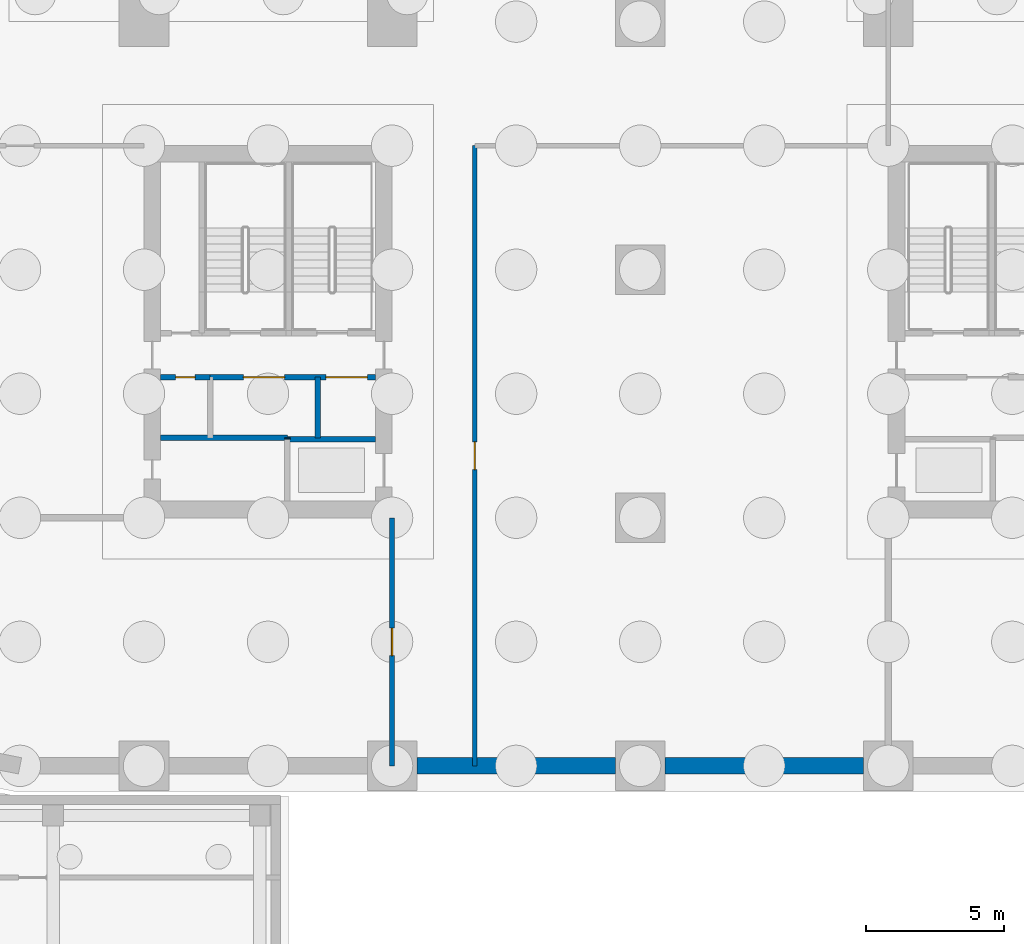
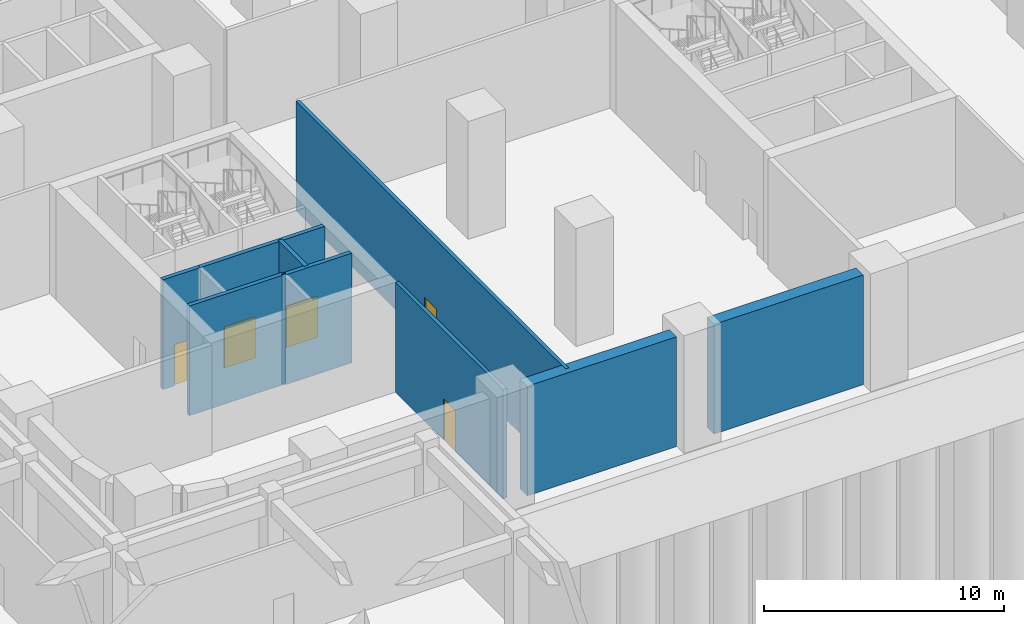
# One storey, part 7 of 26: 10 walls, 5 doors, 5 openings.
"""IFC4 building model written with IfcOpenShell, lengths in metres."""

from ifc_helpers import new_model, si_unit, direction, frame, frame_2d, origin, place, context, subcontext, project, spatial, rectangle, extrude, material, layer, layer_set, type_object, element, fill, save


model = new_model("IFC4")

# Units and contexts
model_context = context("Model", 3, precision=1e-05, world=origin(), true_north=direction((0.0, 1.0)))
body_context = subcontext(model_context, "Body", "Model", "MODEL_VIEW")
ifc_project = project(units=[si_unit("LENGTHUNIT", "METRE"), si_unit("AREAUNIT", "SQUARE_METRE"), si_unit("VOLUMEUNIT", "CUBIC_METRE"), si_unit("PLANEANGLEUNIT", "RADIAN"), si_unit("MASSUNIT", "GRAM", prefix="KILO")], contexts=[model_context])

# Site, building, storey
site_placement = place(None, origin())
site = spatial("IfcSite", under=ifc_project, at=site_placement, CompositionType="ELEMENT")
building_placement = place(site_placement, origin())
building = spatial("IfcBuilding", under=site, at=building_placement, Name="Tessera Arch", CompositionType="ELEMENT")
storey_placement = place(building_placement, frame((0.0, 0.0, -6.0)))
storey = spatial("IfcBuildingStorey", under=building, at=storey_placement, Name="B1", CompositionType="ELEMENT", Elevation=-6.0)

# Walls
ifc_material_1 = material(Name="Concrete C50/60", Category="concrete")
ifc_layer_1 = layer(ifc_material_1, 0.60009765625)
ifc_layer_set_1 = layer_set([ifc_layer_1], Name="Basement wall 600 Concrete C50/60")
wall_type_1 = type_object("IfcWallType", Name="Basement wall 600 Concrete C50/60", PredefinedType="SOLIDWALL", material=ifc_layer_set_1)
for number, where, z_axis, x_axis, name in (
    (1, (18.89990234375, 0.0, 0.0), (0.0, 0.0, 1.0), (1.0, 0.0, 0.0), "Basement wall B1 33"),
    (2, (27.89990234375, 0.0, 0.0), (0.0, 0.0, 1.0), (1.0, 0.0, 0.0), "Basement wall B1 34"),
):
    element("IfcWall", number, at=place(storey_placement, frame(where, z_axis=z_axis, x_axis=x_axis)), inside=storey, type_object=wall_type_1, Name=name, PredefinedType="SOLIDWALL", context=body_context, shape_type="SweptSolid", body=[
        extrude(rectangle(XDim=7.2001953125, YDim=0.60009765625, at=frame_2d((3.60009765625, 0.0))), origin(), (0.0, 0.0, 1.0), 5.590087890625),
    ])
ifc_material_2 = material(Name="Gypsum board on steel stud", Category="steel")
ifc_layer_2 = layer(ifc_material_2, 0.125)
ifc_layer_set_2 = layer_set([ifc_layer_2], Name="Core partition 125 EI 60")
wall_type_2 = type_object("IfcWallType", Name="Core partition 125 EI 60", PredefinedType="PARTITIONING", material=ifc_layer_set_2)
wall_1_placement = place(storey_placement, frame((15.300048828125, 11.89990234375, 0.0), z_axis=(0.0, 0.0, 1.0), x_axis=(0.0, 1.0, 0.0)))
element("IfcWall", 3, at=wall_1_placement, inside=storey, type_object=wall_type_2, Name="B1 C4 partition wall 10", PredefinedType="PARTITIONING", context=body_context, shape_type="SweptSolid", body=[
    extrude(rectangle(XDim=2.2001953125, YDim=0.199951171875, at=frame_2d((1.10009765625, 0.0))), origin(), (0.0, 0.0, 1.0), 5.590087890625),
])

# Wall, openings, doors
wall_2_placement = place(storey_placement, frame((11.39990234375, 14.10009765625, 0.0), z_axis=(0.0, 0.0, 1.0), x_axis=(1.0, 0.0, 0.0)))
wall_2 = element("IfcWall", 4, at=wall_2_placement, inside=storey, type_object=wall_type_2, Name="B1 C4 partition wall 13", PredefinedType="PARTITIONING", context=body_context, shape_type="SweptSolid", body=[
    extrude(rectangle(XDim=6.0, YDim=0.199951171875, at=frame_2d((3.0, 0.0))), origin(), (0.0, 0.0, 1.0), 5.590087890625),
])
opening_1_placement = place(wall_2_placement, frame((1.199951171875, 0.0, 0.0)))
opening_1 = element("IfcOpeningElement", 5, at=opening_1_placement, cuts=wall_2, Name="Opening B1-C42", PredefinedType="OPENING", context=body_context, shape_type="SweptSolid", body=[
    extrude(rectangle(XDim=1.5, YDim=2.10009765625, at=frame_2d((0.75, 1.050048828125))), frame((0.0, 0.10986328125, 0.0), z_axis=(0.0, -1.0, 0.0), x_axis=(1.0, 0.0, 0.0)), (0.0, 0.0, 1.0), 0.219970703125),
])
opening_2_placement = place(wall_2_placement, frame((4.199951171875, 0.0, 0.0)))
opening_2 = element("IfcOpeningElement", 6, at=opening_2_placement, cuts=wall_2, Name="Opening B1-C43", PredefinedType="OPENING", context=body_context, shape_type="SweptSolid", body=[
    extrude(rectangle(XDim=1.5, YDim=2.10009765625, at=frame_2d((0.75, 1.050048828125))), frame((0.0, 0.10986328125, 0.0), z_axis=(0.0, -1.0, 0.0), x_axis=(1.0, 0.0, 0.0)), (0.0, 0.0, 1.0), 0.219970703125),
])
ifc_material_3 = material(Name="Steel door leaf", Category="steel")
door_type_1 = type_object("IfcDoorType", Name="Plant door FD60 1500 x 2100", OperationType="DOUBLE_DOOR_SINGLE_SWING", PredefinedType="DOOR", material=ifc_material_3)
door_1_placement = place(opening_1_placement, origin())
door_1 = element("IfcDoor", 7, at=door_1_placement, inside=storey, type_object=door_type_1, Name="B1 C4 door 9 C42 type D08", OperationType="DOUBLE_DOOR_SINGLE_SWING", OverallHeight=2.10009765625, OverallWidth=1.5, PredefinedType="DOOR", context=body_context, shape_type="SweptSolid", body=[
    extrude(rectangle(XDim=1.5, YDim=2.10009765625, at=frame_2d((0.75, 1.050048828125))), frame((0.0, 0.02490234375, 0.0), z_axis=(0.0, -1.0, 0.0), x_axis=(1.0, 0.0, 0.0)), (0.0, 0.0, 1.0), 0.050048828125),
])
fill(opening_1, door_1)
door_2_placement = place(opening_2_placement, origin())
door_2 = element("IfcDoor", 8, at=door_2_placement, inside=storey, type_object=door_type_1, Name="B1 C4 door 10 C43 type D08", OperationType="DOUBLE_DOOR_SINGLE_SWING", OverallHeight=2.10009765625, OverallWidth=1.5, PredefinedType="DOOR", context=body_context, shape_type="SweptSolid", body=[
    extrude(rectangle(XDim=1.5, YDim=2.10009765625, at=frame_2d((0.75, 1.050048828125))), frame((0.0, 0.02490234375, 0.0), z_axis=(0.0, -1.0, 0.0), x_axis=(1.0, 0.0, 0.0)), (0.0, 0.0, 1.0), 0.050048828125),
])
fill(opening_2, door_2)

# Wall, opening, door
ifc_material_4 = material(Name="Gypsum board on deep steel stud with mineral wool", Category="steel")
ifc_layer_3 = layer(ifc_material_4, 0.175048828125)
ifc_layer_set_3 = layer_set([ifc_layer_3], Name="Corridor wall 175 EI 60")
wall_type_3 = type_object("IfcWallType", Name="Corridor wall 175 EI 60", PredefinedType="PARTITIONING", material=ifc_layer_set_3)
wall_3_placement = place(storey_placement, frame((18.0, 0.0, 0.0), z_axis=(0.0, 0.0, 1.0), x_axis=(0.0, 1.0, 0.0)))
wall_3 = element("IfcWall", 9, at=wall_3_placement, inside=storey, type_object=wall_type_3, Name="B1 partition 18", PredefinedType="PARTITIONING", context=body_context, shape_type="SweptSolid", body=[
    extrude(rectangle(XDim=9.0, YDim=0.175048828125, at=frame_2d((4.5, 0.0))), origin(), (0.0, 0.0, 1.0), 5.590087890625),
])
opening_3_placement = place(wall_3_placement, frame((4.0, 0.0, 0.0)))
opening_3 = element("IfcOpeningElement", 10, at=opening_3_placement, cuts=wall_3, Name="Opening B1-D009", PredefinedType="OPENING", context=body_context, shape_type="SweptSolid", body=[
    extrude(rectangle(XDim=1.0, YDim=2.10009765625, at=frame_2d((0.5, 1.050048828125))), frame((0.0, 0.097412109375, 0.0), z_axis=(0.0, -1.0, 0.0), x_axis=(1.0, 0.0, 0.0)), (0.0, 0.0, 1.0), 0.195068359375),
])
ifc_material_5 = material(Name="Fire-rated door leaf")
door_type_2 = type_object("IfcDoorType", Name="Entrance door FD60 1000 x 2100", OperationType="SINGLE_SWING_LEFT", PredefinedType="DOOR", material=ifc_material_5)
door_3_placement = place(opening_3_placement, origin())
door_3 = element("IfcDoor", 11, at=door_3_placement, inside=storey, type_object=door_type_2, Name="B1 door D009 type D16", OperationType="SINGLE_SWING_RIGHT", OverallHeight=2.10009765625, OverallWidth=1.0, PredefinedType="DOOR", context=body_context, shape_type="SweptSolid", body=[
    extrude(rectangle(XDim=1.0, YDim=2.10009765625, at=frame_2d((0.5, 1.050048828125))), frame((0.0, 0.02490234375, 0.0), z_axis=(0.0, -1.0, 0.0), x_axis=(1.0, 0.0, 0.0)), (0.0, 0.0, 1.0), 0.050048828125),
])
fill(opening_3, door_3)

wall_4_placement = place(storey_placement, frame((21.0, 0.0, 0.0), z_axis=(0.0, 0.0, 1.0), x_axis=(0.0, 1.0, 0.0)))
wall_4 = element("IfcWall", 12, at=wall_4_placement, inside=storey, type_object=wall_type_3, Name="B1 partition 20", PredefinedType="PARTITIONING", context=body_context, shape_type="SweptSolid", body=[
    extrude(rectangle(XDim=22.5, YDim=0.175048828125, at=frame_2d((11.25, 0.0))), origin(), (0.0, 0.0, 1.0), 5.590087890625),
])
opening_4_placement = place(wall_4_placement, frame((10.75, 0.0, 0.0)))
opening_4 = element("IfcOpeningElement", 13, at=opening_4_placement, cuts=wall_4, Name="Opening B1-D013", PredefinedType="OPENING", context=body_context, shape_type="SweptSolid", body=[
    extrude(rectangle(XDim=1.0, YDim=2.10009765625, at=frame_2d((0.5, 1.050048828125))), frame((0.0, 0.097412109375, 0.0), z_axis=(0.0, -1.0, 0.0), x_axis=(1.0, 0.0, 0.0)), (0.0, 0.0, 1.0), 0.195068359375),
])
door_4_placement = place(opening_4_placement, origin())
door_4 = element("IfcDoor", 14, at=door_4_placement, inside=storey, type_object=door_type_2, Name="B1 door D013 type D16", OperationType="SINGLE_SWING_LEFT", OverallHeight=2.10009765625, OverallWidth=1.0, PredefinedType="DOOR", context=body_context, shape_type="SweptSolid", body=[
    extrude(rectangle(XDim=1.0, YDim=2.10009765625, at=frame_2d((0.5, 1.050048828125))), frame((0.0, 0.02490234375, 0.0), z_axis=(0.0, -1.0, 0.0), x_axis=(1.0, 0.0, 0.0)), (0.0, 0.0, 1.0), 0.050048828125),
])
fill(opening_4, door_4)

# Walls
ifc_material_6 = material(Name="Concrete C40/50", Category="concrete")
ifc_layer_4 = layer(ifc_material_6, 0.199951171875)
ifc_layer_set_4 = layer_set([ifc_layer_4], Name="Lift shaft wall 200 REI 180")
wall_type_4 = type_object("IfcWallType", Name="Lift shaft wall 200 REI 180", PredefinedType="SOLIDWALL", material=ifc_layer_set_4)
wall_5_placement = place(storey_placement, frame((14.199951171875, 11.85009765625, 0.0), z_axis=(0.0, 0.0, 1.0), x_axis=(1.0, 0.0, 0.0)))
element("IfcWall", 15, at=wall_5_placement, inside=storey, type_object=wall_type_4, Name="B1 C4 shaft wall 11", PredefinedType="SOLIDWALL", context=body_context, shape_type="SweptSolid", body=[
    extrude(rectangle(XDim=3.199951171875, YDim=0.199951171875, at=frame_2d((1.60009765625, 0.0))), origin(), (0.0, 0.0, 1.0), 5.590087890625),
])
ifc_material_7 = material(Name="Concrete C40/50", Category="concrete")
ifc_layer_5 = layer(ifc_material_7, 0.199951171875)
ifc_layer_set_5 = layer_set([ifc_layer_5], Name="Shaft wall 200 EI 120")
wall_type_5 = type_object("IfcWallType", Name="Shaft wall 200 EI 120", PredefinedType="SOLIDWALL", material=ifc_layer_set_5)
wall_6_placement = place(storey_placement, frame((14.199951171875, 11.85009765625, 0.0), z_axis=(0.0, 0.0, 1.0), x_axis=(0.0, 1.0, 0.0)))
element("IfcWall", 16, at=wall_6_placement, inside=storey, type_object=wall_type_5, Name="B1 C4 shaft wall 6", PredefinedType="SOLIDWALL", context=body_context, shape_type="SweptSolid", body=[
    extrude(rectangle(XDim=0.0498046875, YDim=0.199951171875, at=frame_2d((0.02490234375, 0.0))), origin(), (0.0, 0.0, 1.0), 5.590087890625),
])
wall_7_placement = place(storey_placement, frame((9.60009765625, 11.89990234375, 0.0), z_axis=(0.0, 0.0, 1.0), x_axis=(1.0, 0.0, 0.0)))
element("IfcWall", 17, at=wall_7_placement, inside=storey, type_object=wall_type_5, Name="B1 C4 shaft wall 12", PredefinedType="SOLIDWALL", context=body_context, shape_type="SweptSolid", body=[
    extrude(rectangle(XDim=4.599853515625, YDim=0.199951171875, at=frame_2d((2.2998046875, 0.0))), origin(), (0.0, 0.0, 1.0), 5.590087890625),
])

# Wall, opening, door
wall_8_placement = place(storey_placement, frame((9.60009765625, 14.10009765625, 0.0), z_axis=(0.0, 0.0, 1.0), x_axis=(1.0, 0.0, 0.0)))
wall_8 = element("IfcWall", 18, at=wall_8_placement, inside=storey, type_object=wall_type_5, Name="B1 C4 shaft wall 14", PredefinedType="SOLIDWALL", context=body_context, shape_type="SweptSolid", body=[
    extrude(rectangle(XDim=1.7998046875, YDim=0.199951171875, at=frame_2d((0.89990234375, 0.0))), origin(), (0.0, 0.0, 1.0), 5.590087890625),
])
opening_5_placement = place(wall_8_placement, frame((0.550048828125, 0.0, 0.0)))
opening_5 = element("IfcOpeningElement", 19, at=opening_5_placement, cuts=wall_8, Name="Opening B1-C38", PredefinedType="OPENING", context=body_context, shape_type="SweptSolid", body=[
    extrude(rectangle(XDim=0.699951171875, YDim=2.10009765625, at=frame_2d((0.35009765625, 1.050048828125))), frame((0.0, 0.10986328125, 0.0), z_axis=(0.0, -1.0, 0.0), x_axis=(1.0, 0.0, 0.0)), (0.0, 0.0, 1.0), 0.219970703125),
])
ifc_material_8 = material(Name="Steel door leaf", Category="steel")
door_type_3 = type_object("IfcDoorType", Name="Service shaft door FD60 700 x 2100", OperationType="SINGLE_SWING_LEFT", PredefinedType="DOOR", material=ifc_material_8)
door_5_placement = place(opening_5_placement, origin())
door_5 = element("IfcDoor", 20, at=door_5_placement, inside=storey, type_object=door_type_3, Name="B1 C4 door 5 C38 type D07", OperationType="SINGLE_SWING_LEFT", OverallHeight=2.10009765625, OverallWidth=0.699951171875, PredefinedType="DOOR", context=body_context, shape_type="SweptSolid", body=[
    extrude(rectangle(XDim=0.699951171875, YDim=2.10009765625, at=frame_2d((0.35009765625, 1.050048828125))), frame((0.0, 0.02490234375, 0.0), z_axis=(0.0, -1.0, 0.0), x_axis=(1.0, 0.0, 0.0)), (0.0, 0.0, 1.0), 0.050048828125),
])
fill(opening_5, door_5)

save(model, "model.ifc")
